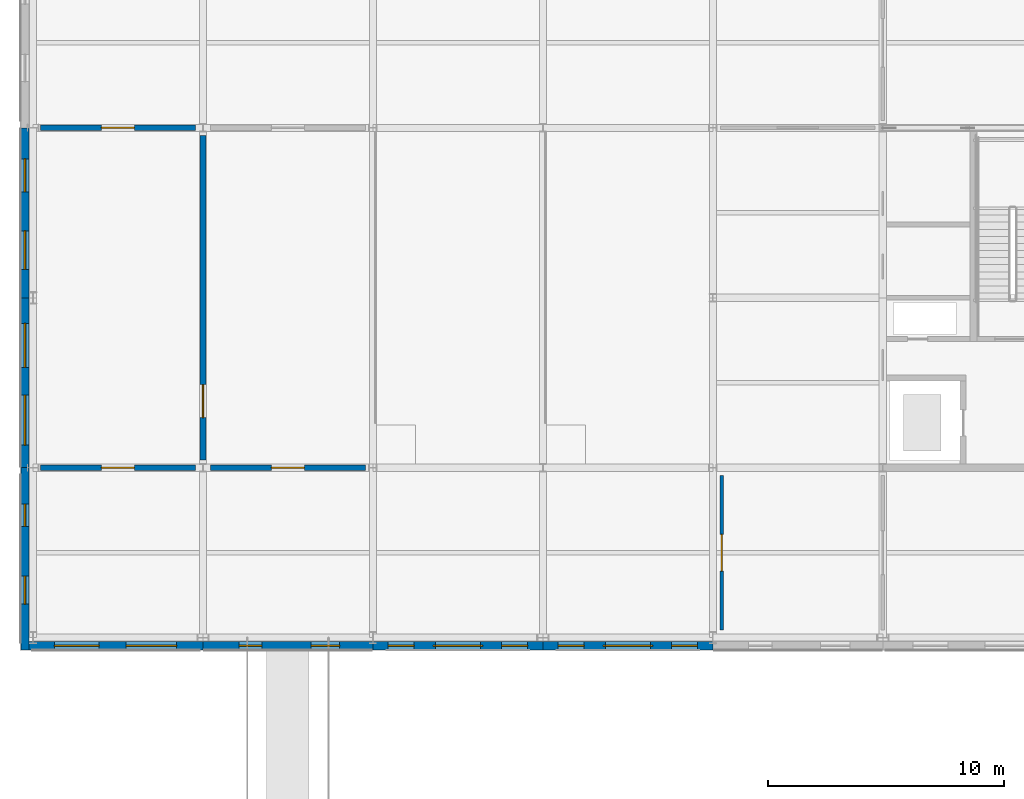
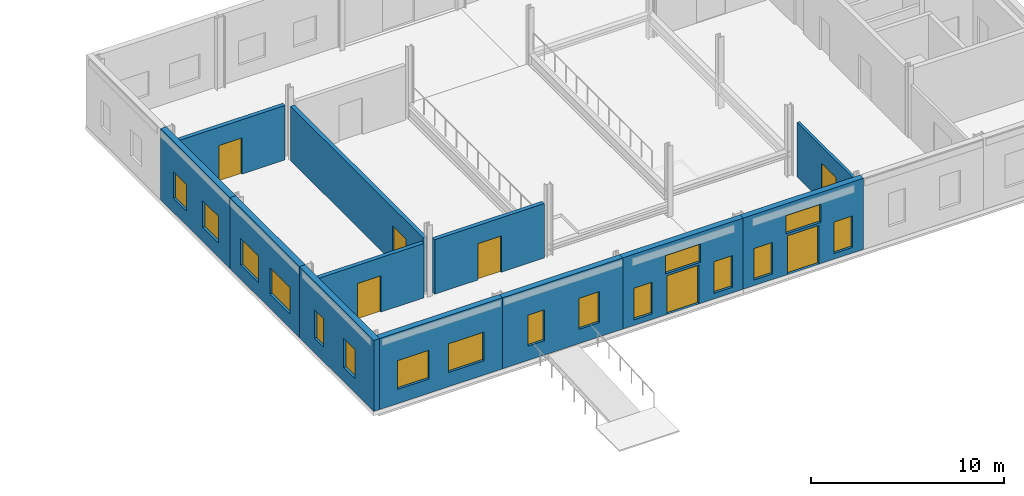
# One storey, part 53 of 92: 16 windows, 12 walls, 7 doors, 23 openings.
"""IFC4 building model written with IfcOpenShell, lengths in metres."""

from ifc_helpers import new_model, si_unit, direction, frame, frame_2d, origin, place, context, subcontext, project, spatial, rectangle, extrude, material, layer, layer_set, type_object, element, fill, save


model = new_model("IFC4")

# Units and contexts
model_context = context("Model", 3, precision=1e-05, world=origin(), true_north=direction((0.0, 1.0)))
body_context = subcontext(model_context, "Body", "Model", "MODEL_VIEW")
ifc_project = project(units=[si_unit("LENGTHUNIT", "METRE"), si_unit("AREAUNIT", "SQUARE_METRE"), si_unit("VOLUMEUNIT", "CUBIC_METRE"), si_unit("PLANEANGLEUNIT", "RADIAN"), si_unit("MASSUNIT", "GRAM", prefix="KILO")], contexts=[model_context])

# Site, building, storey
site_placement = place(None, origin())
site = spatial("IfcSite", under=ifc_project, at=site_placement, CompositionType="ELEMENT")
building_placement = place(site_placement, origin())
building = spatial("IfcBuilding", under=site, at=building_placement, Name="Zlatovets Crest Museum", CompositionType="ELEMENT")
storey_placement = place(building_placement, origin())
storey = spatial("IfcBuildingStorey", under=building, at=storey_placement, Name="L00", CompositionType="ELEMENT", Elevation=0.0)

# Wall, openings, windows
ifc_material_1 = material(Name="Vratsa limestone ashlar masonry and mineral wool", Category="masonry")
ifc_layer_1 = layer(ifc_material_1, 0.35009765625)
ifc_layer_set_1 = layer_set([ifc_layer_1], Name="Vratsa limestone ashlar masonry and mineral wool")
wall_type_1 = type_object("IfcWallType", Name="ExtWall_EW-01", PredefinedType="STANDARD", material=ifc_layer_set_1)
wall_1_placement = place(storey_placement, frame((-0.1650390625, -0.340087890625, 0.0), z_axis=(0.0, 0.0, 1.0), x_axis=(1.0, 0.0, 0.0)))
wall_1 = element("IfcWall", 1, at=wall_1_placement, inside=storey, type_object=wall_type_1, Name="V3 L00 Vratsa Limestone Plinth Wall", PredefinedType="STANDARD", context=body_context, shape_type="SweptSolid", body=[
    extrude(rectangle(XDim=7.364990234375, YDim=0.35009765625, at=frame_2d((3.6826171875, 0.0))), origin(), (0.0, 0.0, 1.0), 4.5),
])
opening_1_placement = place(wall_1_placement, frame((1.06591796875, 0.0, 0.89990234375)))
opening_1 = element("IfcOpeningElement", 2, at=opening_1_placement, cuts=wall_1, Name="Opening WN-32", PredefinedType="OPENING", context=body_context, shape_type="SweptSolid", body=[
    extrude(rectangle(XDim=1.89990234375, YDim=1.820068359375, at=frame_2d((0.949951171875, 0.91015625))), frame((0.0, 0.18505859375, 0.0), z_axis=(0.0, -1.0, 0.0), x_axis=(1.0, 0.0, 0.0)), (0.0, 0.0, 1.0), 0.3701171875),
])
opening_2_placement = place(wall_1_placement, frame((4.114013671875, 0.0, 0.89990234375)))
opening_2 = element("IfcOpeningElement", 3, at=opening_2_placement, cuts=wall_1, Name="Opening WN-33", PredefinedType="OPENING", context=body_context, shape_type="SweptSolid", body=[
    extrude(rectangle(XDim=2.139892578125, YDim=1.820068359375, at=frame_2d((1.06982421875, 0.91015625))), frame((0.0, 0.18505859375, 0.0), z_axis=(0.0, -1.0, 0.0), x_axis=(1.0, 0.0, 0.0)), (0.0, 0.0, 1.0), 0.3701171875),
])
ifc_material_2 = material(Name="Bronze-anodised aluminium frame with low-E triple glass", Category="aluminium")
window_type_1 = type_object("IfcWindowType", Name="Win_WN-32", PartitioningType="SINGLE_PANEL", PredefinedType="WINDOW", material=ifc_material_2)
window_1_placement = place(opening_1_placement, origin())
window_1 = element("IfcWindow", 4, at=window_1_placement, inside=storey, type_object=window_type_1, Name="V3 L00 Secession Plinth Window WN-32", OverallHeight=1.820068359375, OverallWidth=1.89990234375, PartitioningType="SINGLE_PANEL", PredefinedType="WINDOW", context=body_context, shape_type="SweptSolid", body=[
    extrude(rectangle(XDim=1.89990234375, YDim=1.820068359375, at=frame_2d((0.949951171875, 0.91015625))), frame((0.0, 0.030029296875, 0.0), z_axis=(0.0, -1.0, 0.0), x_axis=(1.0, 0.0, 0.0)), (0.0, 0.0, 1.0), 0.06005859375),
])
fill(opening_1, window_1)
window_type_2 = type_object("IfcWindowType", Name="Win_WN-33", PartitioningType="SINGLE_PANEL", PredefinedType="WINDOW", material=ifc_material_2)
window_2_placement = place(opening_2_placement, origin())
window_2 = element("IfcWindow", 5, at=window_2_placement, inside=storey, type_object=window_type_2, Name="V3 L00 Secession Plinth Window WN-33", OverallHeight=1.820068359375, OverallWidth=2.139892578125, PartitioningType="SINGLE_PANEL", PredefinedType="WINDOW", context=body_context, shape_type="SweptSolid", body=[
    extrude(rectangle(XDim=2.139892578125, YDim=1.820068359375, at=frame_2d((1.06982421875, 0.91015625))), frame((0.0, 0.030029296875, 0.0), z_axis=(0.0, -1.0, 0.0), x_axis=(1.0, 0.0, 0.0)), (0.0, 0.0, 1.0), 0.06005859375),
])
fill(opening_2, window_2)

wall_2_placement = place(storey_placement, frame((7.199951171875, -0.340087890625, 0.0), z_axis=(0.0, 0.0, 1.0), x_axis=(1.0, 0.0, 0.0)))
wall_2 = element("IfcWall", 6, at=wall_2_placement, inside=storey, type_object=wall_type_1, Name="V3 L00 Vratsa Limestone Plinth Wall", PredefinedType="STANDARD", context=body_context, shape_type="SweptSolid", body=[
    extrude(rectangle(XDim=7.199951171875, YDim=0.35009765625, at=frame_2d((3.60009765625, 0.0))), origin(), (0.0, 0.0, 1.0), 4.5),
])
opening_3_placement = place(wall_2_placement, frame((1.531005859375, 0.0, 0.89990234375)))
opening_3 = element("IfcOpeningElement", 7, at=opening_3_placement, cuts=wall_2, Name="Opening WN-34", PredefinedType="OPENING", context=body_context, shape_type="SweptSolid", body=[
    extrude(rectangle(XDim=0.969970703125, YDim=1.9599609375, at=frame_2d((0.48486328125, 0.97998046875))), frame((0.0, 0.18505859375, 0.0), z_axis=(0.0, -1.0, 0.0), x_axis=(1.0, 0.0, 0.0)), (0.0, 0.0, 1.0), 0.3701171875),
])
opening_4_placement = place(wall_2_placement, frame((4.5791015625, 0.0, 0.89990234375)))
opening_4 = element("IfcOpeningElement", 8, at=opening_4_placement, cuts=wall_2, Name="Opening WN-35", PredefinedType="OPENING", context=body_context, shape_type="SweptSolid", body=[
    extrude(rectangle(XDim=1.2099609375, YDim=1.9599609375, at=frame_2d((0.60498046875, 0.97998046875))), frame((0.0, 0.18505859375, 0.0), z_axis=(0.0, -1.0, 0.0), x_axis=(1.0, 0.0, 0.0)), (0.0, 0.0, 1.0), 0.3701171875),
])
window_type_3 = type_object("IfcWindowType", Name="Win_WN-34", PartitioningType="SINGLE_PANEL", PredefinedType="WINDOW", material=ifc_material_2)
window_3_placement = place(opening_3_placement, origin())
window_3 = element("IfcWindow", 9, at=window_3_placement, inside=storey, type_object=window_type_3, Name="V3 L00 Secession Plinth Window WN-34", OverallHeight=1.9599609375, OverallWidth=0.969970703125, PartitioningType="SINGLE_PANEL", PredefinedType="WINDOW", context=body_context, shape_type="SweptSolid", body=[
    extrude(rectangle(XDim=0.969970703125, YDim=1.9599609375, at=frame_2d((0.48486328125, 0.97998046875))), frame((0.0, 0.030029296875, 0.0), z_axis=(0.0, -1.0, 0.0), x_axis=(1.0, 0.0, 0.0)), (0.0, 0.0, 1.0), 0.06005859375),
])
fill(opening_3, window_3)
window_type_4 = type_object("IfcWindowType", Name="Win_WN-35", PartitioningType="SINGLE_PANEL", PredefinedType="WINDOW", material=ifc_material_2)
window_4_placement = place(opening_4_placement, origin())
window_4 = element("IfcWindow", 10, at=window_4_placement, inside=storey, type_object=window_type_4, Name="V3 L00 Secession Plinth Window WN-35", OverallHeight=1.9599609375, OverallWidth=1.2099609375, PartitioningType="SINGLE_PANEL", PredefinedType="WINDOW", context=body_context, shape_type="SweptSolid", body=[
    extrude(rectangle(XDim=1.2099609375, YDim=1.9599609375, at=frame_2d((0.60498046875, 0.97998046875))), frame((0.0, 0.030029296875, 0.0), z_axis=(0.0, -1.0, 0.0), x_axis=(1.0, 0.0, 0.0)), (0.0, 0.0, 1.0), 0.06005859375),
])
fill(opening_4, window_4)

# Wall, openings, door, windows
wall_3_placement = place(storey_placement, frame((14.39990234375, -0.340087890625, 0.0), z_axis=(0.0, 0.0, 1.0), x_axis=(1.0, 0.0, 0.0)))
wall_3 = element("IfcWall", 11, at=wall_3_placement, inside=storey, type_object=wall_type_1, Name="V3 L00 Sculpted Art Nouveau Portal Wall", PredefinedType="STANDARD", context=body_context, shape_type="SweptSolid", body=[
    extrude(rectangle(XDim=7.2001953125, YDim=0.35009765625, at=frame_2d((3.60009765625, 0.0))), origin(), (0.0, 0.0, 1.0), 4.5),
])
opening_5_placement = place(wall_3_placement, frame((2.64990234375, 0.0, 0.0)))
opening_5 = element("IfcOpeningElement", 12, at=opening_5_placement, cuts=wall_3, Name="Opening ED-02", PredefinedType="OPENING", context=body_context, shape_type="SweptSolid", body=[
    extrude(rectangle(XDim=1.89990234375, YDim=2.449951171875, at=frame_2d((0.949951171875, 1.22509765625))), frame((0.0, 0.18505859375, 0.0), z_axis=(0.0, -1.0, 0.0), x_axis=(1.0, 0.0, 0.0)), (0.0, 0.0, 1.0), 0.3701171875),
])
opening_6_placement = place(wall_3_placement, frame((2.550048828125, 0.0, 2.60009765625)))
opening_6 = element("IfcOpeningElement", 13, at=opening_6_placement, cuts=wall_3, Name="Opening WN-13", PredefinedType="OPENING", context=body_context, shape_type="SweptSolid", body=[
    extrude(rectangle(XDim=2.10009765625, YDim=1.14990234375, at=frame_2d((1.050048828125, 0.574951171875))), frame((0.0, 0.18505859375, 0.0), z_axis=(0.0, -1.0, 0.0), x_axis=(1.0, 0.0, 0.0)), (0.0, 0.0, 1.0), 0.3701171875),
])
opening_7_placement = place(wall_3_placement, frame((0.64990234375, 0.0, 0.35009765625)))
opening_7 = element("IfcOpeningElement", 14, at=opening_7_placement, cuts=wall_3, Name="Opening WN-06", PredefinedType="OPENING", context=body_context, shape_type="SweptSolid", body=[
    extrude(rectangle(XDim=1.10009765625, YDim=2.0, at=frame_2d((0.550048828125, 1.0))), frame((0.0, 0.18505859375, 0.0), z_axis=(0.0, -1.0, 0.0), x_axis=(1.0, 0.0, 0.0)), (0.0, 0.0, 1.0), 0.3701171875),
])
opening_8_placement = place(wall_3_placement, frame((5.449951171875, 0.0, 0.35009765625)))
opening_8 = element("IfcOpeningElement", 15, at=opening_8_placement, cuts=wall_3, Name="Opening WN-06", PredefinedType="OPENING", context=body_context, shape_type="SweptSolid", body=[
    extrude(rectangle(XDim=1.10009765625, YDim=2.0, at=frame_2d((0.550048828125, 1.0))), frame((0.0, 0.18505859375, 0.0), z_axis=(0.0, -1.0, 0.0), x_axis=(1.0, 0.0, 0.0)), (0.0, 0.0, 1.0), 0.3701171875),
])
ifc_material_3 = material(Name="Bronze-clad insulated steel door", Category="steel")
door_type_1 = type_object("IfcDoorType", Name="ExtDoor_ED-02", OperationType="NOTDEFINED", PredefinedType="DOOR", material=ifc_material_3)
door_1_placement = place(opening_5_placement, origin())
door_1 = element("IfcDoor", 16, at=door_1_placement, inside=storey, type_object=door_type_1, Name="ED-V3-L00-P025 AUDITORIUM AND CAFE PORTAL Exit Door", OperationType="DOUBLE_DOOR_SINGLE_SWING", OverallHeight=2.449951171875, OverallWidth=1.89990234375, PredefinedType="DOOR", context=body_context, shape_type="SweptSolid", body=[
    extrude(rectangle(XDim=1.89990234375, YDim=2.449951171875, at=frame_2d((0.949951171875, 1.22509765625))), frame((0.0, 0.02490234375, 0.0), z_axis=(0.0, -1.0, 0.0), x_axis=(1.0, 0.0, 0.0)), (0.0, 0.0, 1.0), 0.050048828125),
])
fill(opening_5, door_1)
window_type_5 = type_object("IfcWindowType", Name="Win_WN-06", PartitioningType="SINGLE_PANEL", PredefinedType="WINDOW", material=ifc_material_2)
window_5_placement = place(opening_7_placement, origin())
window_5 = element("IfcWindow", 17, at=window_5_placement, inside=storey, type_object=window_type_5, Name="AUDITORIUM AND CAFE PORTAL Glazed Portal Sidelight 1", OverallHeight=2.0, OverallWidth=1.10009765625, PartitioningType="SINGLE_PANEL", PredefinedType="WINDOW", context=body_context, shape_type="SweptSolid", body=[
    extrude(rectangle(XDim=1.10009765625, YDim=2.0, at=frame_2d((0.550048828125, 1.0))), frame((0.0, 0.030029296875, 0.0), z_axis=(0.0, -1.0, 0.0), x_axis=(1.0, 0.0, 0.0)), (0.0, 0.0, 1.0), 0.06005859375),
])
fill(opening_7, window_5)
window_6_placement = place(opening_8_placement, origin())
window_6 = element("IfcWindow", 18, at=window_6_placement, inside=storey, type_object=window_type_5, Name="AUDITORIUM AND CAFE PORTAL Glazed Portal Sidelight 2", OverallHeight=2.0, OverallWidth=1.10009765625, PartitioningType="SINGLE_PANEL", PredefinedType="WINDOW", context=body_context, shape_type="SweptSolid", body=[
    extrude(rectangle(XDim=1.10009765625, YDim=2.0, at=frame_2d((0.550048828125, 1.0))), frame((0.0, 0.030029296875, 0.0), z_axis=(0.0, -1.0, 0.0), x_axis=(1.0, 0.0, 0.0)), (0.0, 0.0, 1.0), 0.06005859375),
])
fill(opening_8, window_6)
window_type_6 = type_object("IfcWindowType", Name="Win_WN-13", PartitioningType="SINGLE_PANEL", PredefinedType="WINDOW", material=ifc_material_2)
window_7_placement = place(opening_6_placement, origin())
window_7 = element("IfcWindow", 19, at=window_7_placement, inside=storey, type_object=window_type_6, Name="AUDITORIUM AND CAFE PORTAL Arched Portal Fanlight", OverallHeight=1.14990234375, OverallWidth=2.10009765625, PartitioningType="SINGLE_PANEL", PredefinedType="WINDOW", context=body_context, shape_type="SweptSolid", body=[
    extrude(rectangle(XDim=2.10009765625, YDim=1.14990234375, at=frame_2d((1.050048828125, 0.574951171875))), frame((0.0, 0.030029296875, 0.0), z_axis=(0.0, -1.0, 0.0), x_axis=(1.0, 0.0, 0.0)), (0.0, 0.0, 1.0), 0.06005859375),
])
fill(opening_6, window_7)

wall_4_placement = place(storey_placement, frame((21.60009765625, -0.340087890625, 0.0), z_axis=(0.0, 0.0, 1.0), x_axis=(1.0, 0.0, 0.0)))
wall_4 = element("IfcWall", 20, at=wall_4_placement, inside=storey, type_object=wall_type_1, Name="V3 L00 Sculpted Art Nouveau Portal Wall", PredefinedType="STANDARD", context=body_context, shape_type="SweptSolid", body=[
    extrude(rectangle(XDim=7.199951171875, YDim=0.35009765625, at=frame_2d((3.60009765625, 0.0))), origin(), (0.0, 0.0, 1.0), 4.5),
])
opening_9_placement = place(wall_4_placement, frame((2.64990234375, 0.0, 0.0)))
opening_9 = element("IfcOpeningElement", 21, at=opening_9_placement, cuts=wall_4, Name="Opening ED-02", PredefinedType="OPENING", context=body_context, shape_type="SweptSolid", body=[
    extrude(rectangle(XDim=1.89990234375, YDim=2.449951171875, at=frame_2d((0.949951171875, 1.22509765625))), frame((0.0, 0.18505859375, 0.0), z_axis=(0.0, -1.0, 0.0), x_axis=(1.0, 0.0, 0.0)), (0.0, 0.0, 1.0), 0.3701171875),
])
opening_10_placement = place(wall_4_placement, frame((2.550048828125, 0.0, 2.60009765625)))
opening_10 = element("IfcOpeningElement", 22, at=opening_10_placement, cuts=wall_4, Name="Opening WN-13", PredefinedType="OPENING", context=body_context, shape_type="SweptSolid", body=[
    extrude(rectangle(XDim=2.10009765625, YDim=1.14990234375, at=frame_2d((1.050048828125, 0.574951171875))), frame((0.0, 0.18505859375, 0.0), z_axis=(0.0, -1.0, 0.0), x_axis=(1.0, 0.0, 0.0)), (0.0, 0.0, 1.0), 0.3701171875),
])
opening_11_placement = place(wall_4_placement, frame((0.64990234375, 0.0, 0.35009765625)))
opening_11 = element("IfcOpeningElement", 23, at=opening_11_placement, cuts=wall_4, Name="Opening WN-06", PredefinedType="OPENING", context=body_context, shape_type="SweptSolid", body=[
    extrude(rectangle(XDim=1.10009765625, YDim=2.0, at=frame_2d((0.550048828125, 1.0))), frame((0.0, 0.18505859375, 0.0), z_axis=(0.0, -1.0, 0.0), x_axis=(1.0, 0.0, 0.0)), (0.0, 0.0, 1.0), 0.3701171875),
])
opening_12_placement = place(wall_4_placement, frame((5.449951171875, 0.0, 0.35009765625)))
opening_12 = element("IfcOpeningElement", 24, at=opening_12_placement, cuts=wall_4, Name="Opening WN-06", PredefinedType="OPENING", context=body_context, shape_type="SweptSolid", body=[
    extrude(rectangle(XDim=1.10009765625, YDim=2.0, at=frame_2d((0.550048828125, 1.0))), frame((0.0, 0.18505859375, 0.0), z_axis=(0.0, -1.0, 0.0), x_axis=(1.0, 0.0, 0.0)), (0.0, 0.0, 1.0), 0.3701171875),
])
door_2_placement = place(opening_9_placement, origin())
door_2 = element("IfcDoor", 25, at=door_2_placement, inside=storey, type_object=door_type_1, Name="ED-V3-L00-P026 AUDITORIUM AND CAFE PORTAL Exit Door", OperationType="DOUBLE_DOOR_SINGLE_SWING", OverallHeight=2.449951171875, OverallWidth=1.89990234375, PredefinedType="DOOR", context=body_context, shape_type="SweptSolid", body=[
    extrude(rectangle(XDim=1.89990234375, YDim=2.449951171875, at=frame_2d((0.949951171875, 1.22509765625))), frame((0.0, 0.02490234375, 0.0), z_axis=(0.0, -1.0, 0.0), x_axis=(1.0, 0.0, 0.0)), (0.0, 0.0, 1.0), 0.050048828125),
])
fill(opening_9, door_2)
window_8_placement = place(opening_11_placement, origin())
window_8 = element("IfcWindow", 26, at=window_8_placement, inside=storey, type_object=window_type_5, Name="AUDITORIUM AND CAFE PORTAL Glazed Portal Sidelight 1", OverallHeight=2.0, OverallWidth=1.10009765625, PartitioningType="SINGLE_PANEL", PredefinedType="WINDOW", context=body_context, shape_type="SweptSolid", body=[
    extrude(rectangle(XDim=1.10009765625, YDim=2.0, at=frame_2d((0.550048828125, 1.0))), frame((0.0, 0.030029296875, 0.0), z_axis=(0.0, -1.0, 0.0), x_axis=(1.0, 0.0, 0.0)), (0.0, 0.0, 1.0), 0.06005859375),
])
fill(opening_11, window_8)
window_9_placement = place(opening_12_placement, origin())
window_9 = element("IfcWindow", 27, at=window_9_placement, inside=storey, type_object=window_type_5, Name="AUDITORIUM AND CAFE PORTAL Glazed Portal Sidelight 2", OverallHeight=2.0, OverallWidth=1.10009765625, PartitioningType="SINGLE_PANEL", PredefinedType="WINDOW", context=body_context, shape_type="SweptSolid", body=[
    extrude(rectangle(XDim=1.10009765625, YDim=2.0, at=frame_2d((0.550048828125, 1.0))), frame((0.0, 0.030029296875, 0.0), z_axis=(0.0, -1.0, 0.0), x_axis=(1.0, 0.0, 0.0)), (0.0, 0.0, 1.0), 0.06005859375),
])
fill(opening_12, window_9)
window_10_placement = place(opening_10_placement, origin())
window_10 = element("IfcWindow", 28, at=window_10_placement, inside=storey, type_object=window_type_6, Name="AUDITORIUM AND CAFE PORTAL Arched Portal Fanlight", OverallHeight=1.14990234375, OverallWidth=2.10009765625, PartitioningType="SINGLE_PANEL", PredefinedType="WINDOW", context=body_context, shape_type="SweptSolid", body=[
    extrude(rectangle(XDim=2.10009765625, YDim=1.14990234375, at=frame_2d((1.050048828125, 0.574951171875))), frame((0.0, 0.030029296875, 0.0), z_axis=(0.0, -1.0, 0.0), x_axis=(1.0, 0.0, 0.0)), (0.0, 0.0, 1.0), 0.06005859375),
])
fill(opening_10, window_10)

# Wall, openings, windows
wall_5_placement = place(storey_placement, frame((-0.340087890625, 21.60009765625, 0.0), z_axis=(0.0, 0.0, 1.0), x_axis=(0.0, -1.0, 0.0)))
wall_5 = element("IfcWall", 29, at=wall_5_placement, inside=storey, type_object=wall_type_1, Name="V3 L00 Vratsa Limestone Plinth Wall", PredefinedType="STANDARD", context=body_context, shape_type="SweptSolid", body=[
    extrude(rectangle(XDim=7.2001953125, YDim=0.35009765625, at=frame_2d((3.60009765625, 0.0))), origin(), (0.0, 0.0, 1.0), 4.5),
])
opening_13_placement = place(wall_5_placement, frame((1.321044921875, 0.0, 0.89990234375)))
opening_13 = element("IfcOpeningElement", 30, at=opening_13_placement, cuts=wall_5, Name="Opening WN-24", PredefinedType="OPENING", context=body_context, shape_type="SweptSolid", body=[
    extrude(rectangle(XDim=1.389892578125, YDim=1.679931640625, at=frame_2d((0.69482421875, 0.83984375))), frame((0.0, 0.18505859375, 0.0), z_axis=(0.0, -1.0, 0.0), x_axis=(1.0, 0.0, 0.0)), (0.0, 0.0, 1.0), 0.3701171875),
])
opening_14_placement = place(wall_5_placement, frame((4.368896484375, 0.0, 0.89990234375)))
opening_14 = element("IfcOpeningElement", 31, at=opening_14_placement, cuts=wall_5, Name="Opening WN-25", PredefinedType="OPENING", context=body_context, shape_type="SweptSolid", body=[
    extrude(rectangle(XDim=1.6298828125, YDim=1.679931640625, at=frame_2d((0.81494140625, 0.83984375))), frame((0.0, 0.18505859375, 0.0), z_axis=(0.0, -1.0, 0.0), x_axis=(1.0, 0.0, 0.0)), (0.0, 0.0, 1.0), 0.3701171875),
])
window_type_7 = type_object("IfcWindowType", Name="Win_WN-24", PartitioningType="SINGLE_PANEL", PredefinedType="WINDOW", material=ifc_material_2)
window_11_placement = place(opening_13_placement, origin())
window_11 = element("IfcWindow", 32, at=window_11_placement, inside=storey, type_object=window_type_7, Name="V3 L00 Secession Plinth Window WN-24", OverallHeight=1.679931640625, OverallWidth=1.389892578125, PartitioningType="SINGLE_PANEL", PredefinedType="WINDOW", context=body_context, shape_type="SweptSolid", body=[
    extrude(rectangle(XDim=1.389892578125, YDim=1.679931640625, at=frame_2d((0.69482421875, 0.83984375))), frame((0.0, 0.030029296875, 0.0), z_axis=(0.0, -1.0, 0.0), x_axis=(1.0, 0.0, 0.0)), (0.0, 0.0, 1.0), 0.06005859375),
])
fill(opening_13, window_11)
window_type_8 = type_object("IfcWindowType", Name="Win_WN-25", PartitioningType="SINGLE_PANEL", PredefinedType="WINDOW", material=ifc_material_2)
window_12_placement = place(opening_14_placement, origin())
window_12 = element("IfcWindow", 33, at=window_12_placement, inside=storey, type_object=window_type_8, Name="V3 L00 Secession Plinth Window WN-25", OverallHeight=1.679931640625, OverallWidth=1.6298828125, PartitioningType="SINGLE_PANEL", PredefinedType="WINDOW", context=body_context, shape_type="SweptSolid", body=[
    extrude(rectangle(XDim=1.6298828125, YDim=1.679931640625, at=frame_2d((0.81494140625, 0.83984375))), frame((0.0, 0.030029296875, 0.0), z_axis=(0.0, -1.0, 0.0), x_axis=(1.0, 0.0, 0.0)), (0.0, 0.0, 1.0), 0.06005859375),
])
fill(opening_14, window_12)

wall_6_placement = place(storey_placement, frame((-0.340087890625, 14.39990234375, 0.0), z_axis=(0.0, 0.0, 1.0), x_axis=(0.0, -1.0, 0.0)))
wall_6 = element("IfcWall", 34, at=wall_6_placement, inside=storey, type_object=wall_type_1, Name="V3 L00 Vratsa Limestone Plinth Wall", PredefinedType="STANDARD", context=body_context, shape_type="SweptSolid", body=[
    extrude(rectangle(XDim=7.199951171875, YDim=0.35009765625, at=frame_2d((3.60009765625, 0.0))), origin(), (0.0, 0.0, 1.0), 4.5),
])
opening_15_placement = place(wall_6_placement, frame((1.0810546875, 0.0, 0.89990234375)))
opening_15 = element("IfcOpeningElement", 35, at=opening_15_placement, cuts=wall_6, Name="Opening WN-26", PredefinedType="OPENING", context=body_context, shape_type="SweptSolid", body=[
    extrude(rectangle(XDim=1.8701171875, YDim=1.679931640625, at=frame_2d((0.93505859375, 0.83984375))), frame((0.0, 0.18505859375, 0.0), z_axis=(0.0, -1.0, 0.0), x_axis=(1.0, 0.0, 0.0)), (0.0, 0.0, 1.0), 0.3701171875),
])
opening_16_placement = place(wall_6_placement, frame((4.12890625, 0.0, 0.89990234375)))
opening_16 = element("IfcOpeningElement", 36, at=opening_16_placement, cuts=wall_6, Name="Opening WN-27", PredefinedType="OPENING", context=body_context, shape_type="SweptSolid", body=[
    extrude(rectangle(XDim=2.110107421875, YDim=1.679931640625, at=frame_2d((1.05517578125, 0.83984375))), frame((0.0, 0.18505859375, 0.0), z_axis=(0.0, -1.0, 0.0), x_axis=(1.0, 0.0, 0.0)), (0.0, 0.0, 1.0), 0.3701171875),
])
window_type_9 = type_object("IfcWindowType", Name="Win_WN-26", PartitioningType="SINGLE_PANEL", PredefinedType="WINDOW", material=ifc_material_2)
window_13_placement = place(opening_15_placement, origin())
window_13 = element("IfcWindow", 37, at=window_13_placement, inside=storey, type_object=window_type_9, Name="V3 L00 Secession Plinth Window WN-26", OverallHeight=1.679931640625, OverallWidth=1.8701171875, PartitioningType="SINGLE_PANEL", PredefinedType="WINDOW", context=body_context, shape_type="SweptSolid", body=[
    extrude(rectangle(XDim=1.8701171875, YDim=1.679931640625, at=frame_2d((0.93505859375, 0.83984375))), frame((0.0, 0.030029296875, 0.0), z_axis=(0.0, -1.0, 0.0), x_axis=(1.0, 0.0, 0.0)), (0.0, 0.0, 1.0), 0.06005859375),
])
fill(opening_15, window_13)
window_type_10 = type_object("IfcWindowType", Name="Win_WN-27", PartitioningType="SINGLE_PANEL", PredefinedType="WINDOW", material=ifc_material_2)
window_14_placement = place(opening_16_placement, origin())
window_14 = element("IfcWindow", 38, at=window_14_placement, inside=storey, type_object=window_type_10, Name="V3 L00 Secession Plinth Window WN-27", OverallHeight=1.679931640625, OverallWidth=2.110107421875, PartitioningType="SINGLE_PANEL", PredefinedType="WINDOW", context=body_context, shape_type="SweptSolid", body=[
    extrude(rectangle(XDim=2.110107421875, YDim=1.679931640625, at=frame_2d((1.05517578125, 0.83984375))), frame((0.0, 0.030029296875, 0.0), z_axis=(0.0, -1.0, 0.0), x_axis=(1.0, 0.0, 0.0)), (0.0, 0.0, 1.0), 0.06005859375),
])
fill(opening_16, window_14)

wall_7_placement = place(storey_placement, frame((-0.340087890625, 7.199951171875, 0.0), z_axis=(0.0, 0.0, 1.0), x_axis=(0.0, -1.0, 0.0)))
wall_7 = element("IfcWall", 39, at=wall_7_placement, inside=storey, type_object=wall_type_1, Name="V3 L00 Vratsa Limestone Plinth Wall", PredefinedType="STANDARD", context=body_context, shape_type="SweptSolid", body=[
    extrude(rectangle(XDim=7.71484375, YDim=0.35009765625, at=frame_2d((3.857421875, 0.0))), origin(), (0.0, 0.0, 1.0), 4.5),
])
opening_17_placement = place(wall_7_placement, frame((1.5458984375, 0.0, 0.89990234375)))
opening_17 = element("IfcOpeningElement", 40, at=opening_17_placement, cuts=wall_7, Name="Opening WN-28", PredefinedType="OPENING", context=body_context, shape_type="SweptSolid", body=[
    extrude(rectangle(XDim=0.93994140625, YDim=1.820068359375, at=frame_2d((0.469970703125, 0.91015625))), frame((0.0, 0.18505859375, 0.0), z_axis=(0.0, -1.0, 0.0), x_axis=(1.0, 0.0, 0.0)), (0.0, 0.0, 1.0), 0.3701171875),
])
opening_18_placement = place(wall_7_placement, frame((4.593994140625, 0.0, 0.89990234375)))
opening_18 = element("IfcOpeningElement", 41, at=opening_18_placement, cuts=wall_7, Name="Opening WN-29", PredefinedType="OPENING", context=body_context, shape_type="SweptSolid", body=[
    extrude(rectangle(XDim=1.179931640625, YDim=1.820068359375, at=frame_2d((0.58984375, 0.91015625))), frame((0.0, 0.18505859375, 0.0), z_axis=(0.0, -1.0, 0.0), x_axis=(1.0, 0.0, 0.0)), (0.0, 0.0, 1.0), 0.3701171875),
])
window_type_11 = type_object("IfcWindowType", Name="Win_WN-28", PartitioningType="SINGLE_PANEL", PredefinedType="WINDOW", material=ifc_material_2)
window_15_placement = place(opening_17_placement, origin())
window_15 = element("IfcWindow", 42, at=window_15_placement, inside=storey, type_object=window_type_11, Name="V3 L00 Secession Plinth Window WN-28", OverallHeight=1.820068359375, OverallWidth=0.93994140625, PartitioningType="SINGLE_PANEL", PredefinedType="WINDOW", context=body_context, shape_type="SweptSolid", body=[
    extrude(rectangle(XDim=0.93994140625, YDim=1.820068359375, at=frame_2d((0.469970703125, 0.91015625))), frame((0.0, 0.030029296875, 0.0), z_axis=(0.0, -1.0, 0.0), x_axis=(1.0, 0.0, 0.0)), (0.0, 0.0, 1.0), 0.06005859375),
])
fill(opening_17, window_15)
window_type_12 = type_object("IfcWindowType", Name="Win_WN-29", PartitioningType="SINGLE_PANEL", PredefinedType="WINDOW", material=ifc_material_2)
window_16_placement = place(opening_18_placement, origin())
window_16 = element("IfcWindow", 43, at=window_16_placement, inside=storey, type_object=window_type_12, Name="V3 L00 Secession Plinth Window WN-29", OverallHeight=1.820068359375, OverallWidth=1.179931640625, PartitioningType="SINGLE_PANEL", PredefinedType="WINDOW", context=body_context, shape_type="SweptSolid", body=[
    extrude(rectangle(XDim=1.179931640625, YDim=1.820068359375, at=frame_2d((0.58984375, 0.91015625))), frame((0.0, 0.030029296875, 0.0), z_axis=(0.0, -1.0, 0.0), x_axis=(1.0, 0.0, 0.0)), (0.0, 0.0, 1.0), 0.06005859375),
])
fill(opening_18, window_16)

# Wall, opening, door
ifc_material_4 = material(Name="Acoustic museum gallery stud partition")
ifc_layer_2 = layer(ifc_material_4, 0.159912109375)
ifc_layer_set_2 = layer_set([ifc_layer_2], Name="Acoustic museum gallery stud partition")
wall_type_2 = type_object("IfcWallType", Name="PartWall_PT-02", PredefinedType="PARTITIONING", material=ifc_layer_set_2)
wall_8_placement = place(storey_placement, frame((29.179931640625, 0.320068359375, 0.0), z_axis=(0.0, 0.0, 1.0), x_axis=(0.0, 1.0, 0.0)))
wall_8 = element("IfcWall", 44, at=wall_8_placement, inside=storey, type_object=wall_type_2, Name="V3 L00 Interior Partition PT-02", PredefinedType="PARTITIONING", context=body_context, shape_type="SweptSolid", body=[
    extrude(rectangle(XDim=6.559814453125, YDim=0.159912109375, at=frame_2d((3.27978515625, 0.0))), origin(), (0.0, 0.0, 1.0), 3.449951171875),
])
opening_19_placement = place(wall_8_placement, frame((2.5048828125, 0.0, 0.0)))
opening_19 = element("IfcOpeningElement", 45, at=opening_19_placement, cuts=wall_8, Name="Opening ID-13", PredefinedType="OPENING", context=body_context, shape_type="SweptSolid", body=[
    extrude(rectangle(XDim=1.550048828125, YDim=2.39990234375, at=frame_2d((0.77490234375, 1.199951171875))), frame((0.0, 0.08984375, 0.0), z_axis=(0.0, -1.0, 0.0), x_axis=(1.0, 0.0, 0.0)), (0.0, 0.0, 1.0), 0.179931640625),
])
ifc_material_5 = material(Name="Cabinet gallery double door")
door_type_2 = type_object("IfcDoorType", Name="IntDoor_ID-13", OperationType="DOUBLE_DOOR_SINGLE_SWING", PredefinedType="DOOR", material=ifc_material_5)
door_3_placement = place(opening_19_placement, origin())
door_3 = element("IfcDoor", 46, at=door_3_placement, inside=storey, type_object=door_type_2, Name="IDOOR-V3-L00-0069 Auditorium South Foyer to Forecourt Museum Cafe Door", OperationType="DOUBLE_DOOR_SINGLE_SWING", OverallHeight=2.39990234375, OverallWidth=1.550048828125, PredefinedType="DOOR", context=body_context, shape_type="SweptSolid", body=[
    extrude(rectangle(XDim=1.550048828125, YDim=2.39990234375, at=frame_2d((0.77490234375, 1.199951171875))), frame((0.0, 0.02490234375, 0.0), z_axis=(0.0, -1.0, 0.0), x_axis=(1.0, 0.0, 0.0)), (0.0, 0.0, 1.0), 0.050048828125),
])
fill(opening_19, door_3)

ifc_material_6 = material(Name="Double-stud auditorium acoustic partition")
ifc_layer_3 = layer(ifc_material_6, 0.239990234375)
ifc_layer_set_3 = layer_set([ifc_layer_3], Name="Double-stud auditorium acoustic partition")
wall_type_3 = type_object("IfcWallType", Name="PartWall_PT-03", PredefinedType="PARTITIONING", material=ifc_layer_set_3)
wall_9_placement = place(storey_placement, frame((7.199951171875, 7.52001953125, 0.0), z_axis=(0.0, 0.0, 1.0), x_axis=(0.0, 1.0, 0.0)))
wall_9 = element("IfcWall", 47, at=wall_9_placement, inside=storey, type_object=wall_type_3, Name="V3 L00 Interior Partition PT-03", PredefinedType="PARTITIONING", context=body_context, shape_type="SweptSolid", body=[
    extrude(rectangle(XDim=13.760009765625, YDim=0.239990234375, at=frame_2d((6.8798828125, 0.0))), origin(), (0.0, 0.0, 1.0), 3.449951171875),
])
opening_20_placement = place(wall_9_placement, frame((1.8017578125, 0.0, 0.0)))
opening_20 = element("IfcOpeningElement", 48, at=opening_20_placement, cuts=wall_9, Name="Opening ID-06", PredefinedType="OPENING", context=body_context, shape_type="SweptSolid", body=[
    extrude(rectangle(XDim=1.39990234375, YDim=2.300048828125, at=frame_2d((0.699951171875, 1.14990234375))), frame((0.0, 0.1298828125, 0.0), z_axis=(0.0, -1.0, 0.0), x_axis=(1.0, 0.0, 0.0)), (0.0, 0.0, 1.0), 0.260009765625),
])
ifc_material_7 = material(Name="Auditorium acoustic vestibule double door")
door_type_3 = type_object("IfcDoorType", Name="IntDoor_ID-06", OperationType="DOUBLE_DOOR_SINGLE_SWING", PredefinedType="DOOR", material=ifc_material_7)
door_4_placement = place(opening_20_placement, origin())
door_4 = element("IfcDoor", 49, at=door_4_placement, inside=storey, type_object=door_type_3, Name="IDOOR-V3-L00-0064 Auditorium Stalls to Auditorium Stage and Acoustic Shell Door", OperationType="DOUBLE_DOOR_SINGLE_SWING", OverallHeight=2.300048828125, OverallWidth=1.39990234375, PredefinedType="DOOR", context=body_context, shape_type="SweptSolid", body=[
    extrude(rectangle(XDim=1.39990234375, YDim=2.300048828125, at=frame_2d((0.699951171875, 1.14990234375))), frame((0.0, 0.02490234375, 0.0), z_axis=(0.0, -1.0, 0.0), x_axis=(1.0, 0.0, 0.0)), (0.0, 0.0, 1.0), 0.050048828125),
])
fill(opening_20, door_4)

wall_10_placement = place(storey_placement, frame((7.52001953125, 7.199951171875, 0.0), z_axis=(0.0, 0.0, 1.0), x_axis=(1.0, 0.0, 0.0)))
wall_10 = element("IfcWall", 50, at=wall_10_placement, inside=storey, type_object=wall_type_3, Name="V3 L00 Interior Partition PT-03", PredefinedType="PARTITIONING", context=body_context, shape_type="SweptSolid", body=[
    extrude(rectangle(XDim=6.56005859375, YDim=0.239990234375, at=frame_2d((3.280029296875, 0.0))), origin(), (0.0, 0.0, 1.0), 3.449951171875),
])
opening_21_placement = place(wall_10_placement, frame((2.580078125, 0.0, 0.0)))
opening_21 = element("IfcOpeningElement", 51, at=opening_21_placement, cuts=wall_10, Name="Opening ID-06", PredefinedType="OPENING", context=body_context, shape_type="SweptSolid", body=[
    extrude(rectangle(XDim=1.39990234375, YDim=2.300048828125, at=frame_2d((0.699951171875, 1.14990234375))), frame((0.0, 0.1298828125, 0.0), z_axis=(0.0, -1.0, 0.0), x_axis=(1.0, 0.0, 0.0)), (0.0, 0.0, 1.0), 0.260009765625),
])
door_5_placement = place(opening_21_placement, origin())
door_5 = element("IfcDoor", 52, at=door_5_placement, inside=storey, type_object=door_type_3, Name="IDOOR-V3-L00-0065 Auditorium Stalls to Auditorium South Foyer Door", OperationType="DOUBLE_DOOR_SINGLE_SWING", OverallHeight=2.300048828125, OverallWidth=1.39990234375, PredefinedType="DOOR", context=body_context, shape_type="SweptSolid", body=[
    extrude(rectangle(XDim=1.39990234375, YDim=2.300048828125, at=frame_2d((0.699951171875, 1.14990234375))), frame((0.0, 0.02490234375, 0.0), z_axis=(0.0, -1.0, 0.0), x_axis=(1.0, 0.0, 0.0)), (0.0, 0.0, 1.0), 0.050048828125),
])
fill(opening_21, door_5)

wall_11_placement = place(storey_placement, frame((0.320068359375, 7.199951171875, 0.0), z_axis=(0.0, 0.0, 1.0), x_axis=(1.0, 0.0, 0.0)))
wall_11 = element("IfcWall", 53, at=wall_11_placement, inside=storey, type_object=wall_type_3, Name="V3 L00 Interior Partition PT-03", PredefinedType="PARTITIONING", context=body_context, shape_type="SweptSolid", body=[
    extrude(rectangle(XDim=6.559814453125, YDim=0.239990234375, at=frame_2d((3.27978515625, 0.0))), origin(), (0.0, 0.0, 1.0), 3.449951171875),
])
opening_22_placement = place(wall_11_placement, frame((2.580078125, 0.0, 0.0)))
opening_22 = element("IfcOpeningElement", 54, at=opening_22_placement, cuts=wall_11, Name="Opening ID-06", PredefinedType="OPENING", context=body_context, shape_type="SweptSolid", body=[
    extrude(rectangle(XDim=1.39990234375, YDim=2.300048828125, at=frame_2d((0.699951171875, 1.14990234375))), frame((0.0, 0.1298828125, 0.0), z_axis=(0.0, -1.0, 0.0), x_axis=(1.0, 0.0, 0.0)), (0.0, 0.0, 1.0), 0.260009765625),
])
door_6_placement = place(opening_22_placement, origin())
door_6 = element("IfcDoor", 55, at=door_6_placement, inside=storey, type_object=door_type_3, Name="IDOOR-V3-L00-0067 Auditorium Stage and Acoustic Shell to Auditorium South Foyer Door", OperationType="DOUBLE_DOOR_SINGLE_SWING", OverallHeight=2.300048828125, OverallWidth=1.39990234375, PredefinedType="DOOR", context=body_context, shape_type="SweptSolid", body=[
    extrude(rectangle(XDim=1.39990234375, YDim=2.300048828125, at=frame_2d((0.699951171875, 1.14990234375))), frame((0.0, 0.02490234375, 0.0), z_axis=(0.0, -1.0, 0.0), x_axis=(1.0, 0.0, 0.0)), (0.0, 0.0, 1.0), 0.050048828125),
])
fill(opening_22, door_6)

wall_12_placement = place(storey_placement, frame((0.320068359375, 21.60009765625, 0.0), z_axis=(0.0, 0.0, 1.0), x_axis=(1.0, 0.0, 0.0)))
wall_12 = element("IfcWall", 56, at=wall_12_placement, inside=storey, type_object=wall_type_3, Name="V3 L00 Interior Partition PT-03", PredefinedType="PARTITIONING", context=body_context, shape_type="SweptSolid", body=[
    extrude(rectangle(XDim=6.559814453125, YDim=0.239990234375, at=frame_2d((3.27978515625, 0.0))), origin(), (0.0, 0.0, 1.0), 3.449951171875),
])
opening_23_placement = place(wall_12_placement, frame((2.580078125, 0.0, 0.0)))
opening_23 = element("IfcOpeningElement", 57, at=opening_23_placement, cuts=wall_12, Name="Opening ID-06", PredefinedType="OPENING", context=body_context, shape_type="SweptSolid", body=[
    extrude(rectangle(XDim=1.39990234375, YDim=2.300048828125, at=frame_2d((0.699951171875, 1.14990234375))), frame((0.0, 0.1298828125, 0.0), z_axis=(0.0, -1.0, 0.0), x_axis=(1.0, 0.0, 0.0)), (0.0, 0.0, 1.0), 0.260009765625),
])
door_7_placement = place(opening_23_placement, origin())
door_7 = element("IfcDoor", 58, at=door_7_placement, inside=storey, type_object=door_type_3, Name="IDOOR-V3-L00-0068 Auditorium Stage and Acoustic Shell to Community Heritage Room Door", OperationType="DOUBLE_DOOR_SINGLE_SWING", OverallHeight=2.300048828125, OverallWidth=1.39990234375, PredefinedType="DOOR", context=body_context, shape_type="SweptSolid", body=[
    extrude(rectangle(XDim=1.39990234375, YDim=2.300048828125, at=frame_2d((0.699951171875, 1.14990234375))), frame((0.0, 0.02490234375, 0.0), z_axis=(0.0, -1.0, 0.0), x_axis=(1.0, 0.0, 0.0)), (0.0, 0.0, 1.0), 0.050048828125),
])
fill(opening_23, door_7)

save(model, "model.ifc")
